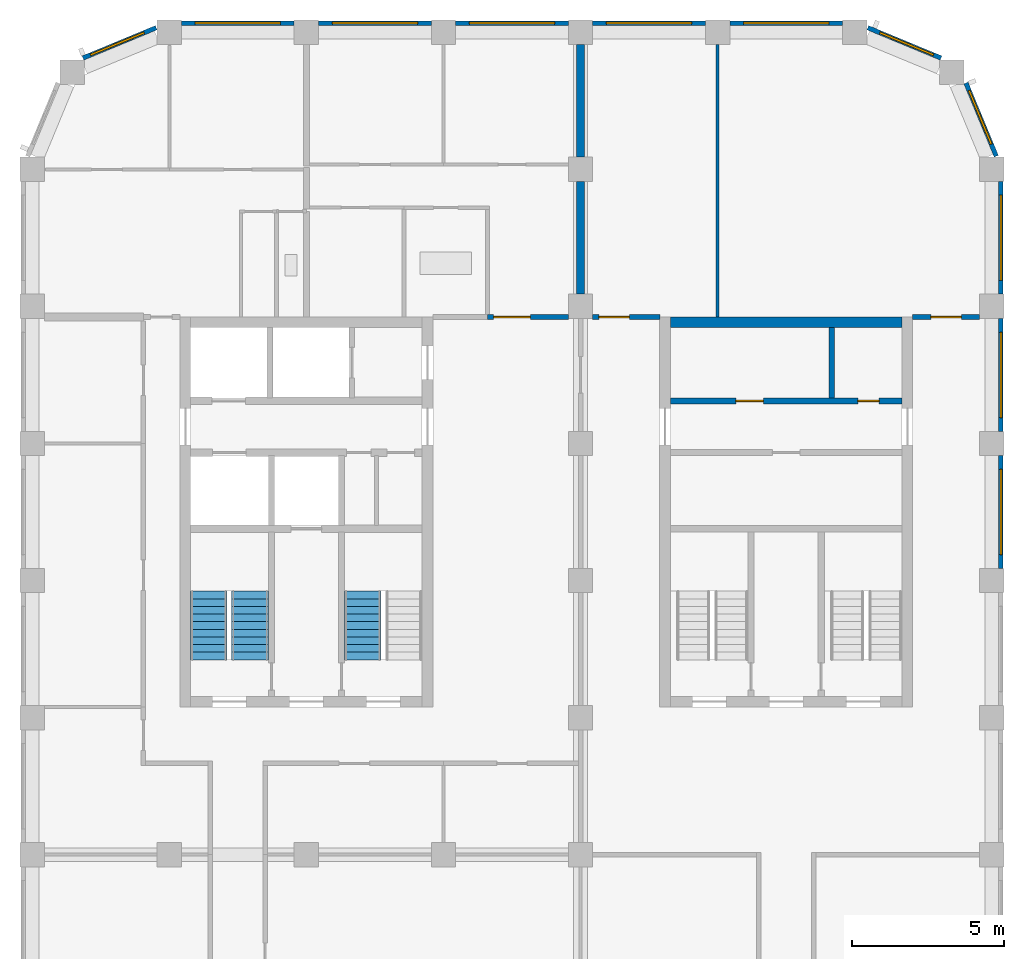
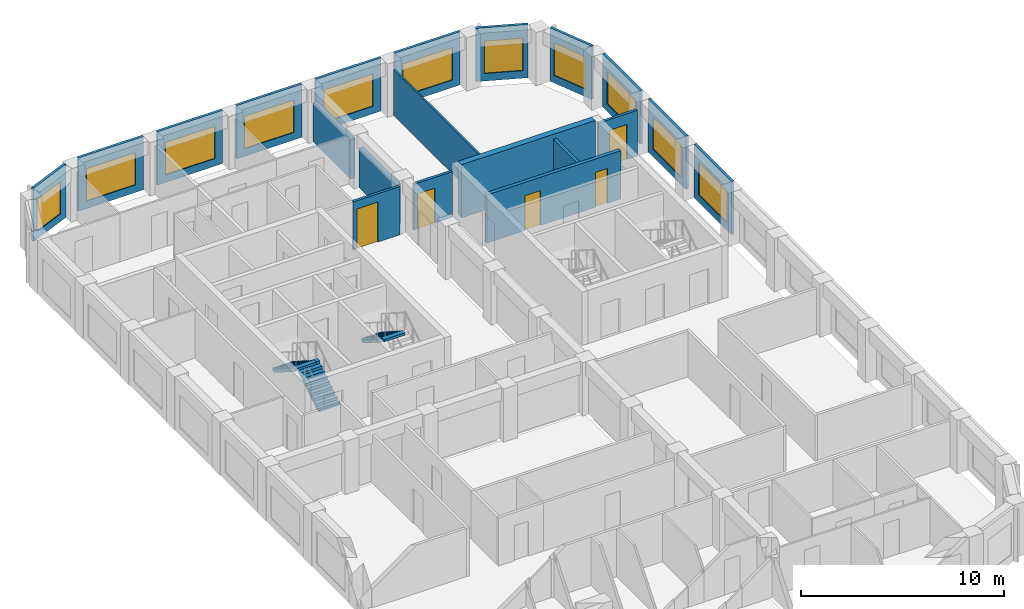
# One storey, part 7 of 10: 20 walls, 11 windows, 5 doors, 3 stair flights, 16 openings, 2 elements without a shape of their own.
"""IFC4 building model written with IfcOpenShell, lengths in metres."""

import ifcopenshell
import ifcopenshell.guid

model = None  # the IFC model being written
_history = None  # IfcOwnerHistory: only IFC2X3 demands one
_inside = {}  # id of a spatial element -> (the spatial element, [elements in it])
_under = {}  # id of a project, library or spatial element -> (it, [spatial elements below it])
_declared = {}  # id of a project -> (the project, [libraries it declares])
_typed = {}  # id of a type object -> (the type object, [elements of that type])
_made_of = {}  # id of a material, layer set ... -> (it, [elements and type objects made of it])


def new_model(schema):
    """Start an empty IFC model of exactly this schema.

    Asked for "IFC4X3", IfcOpenShell would pick the latest addendum, in which some entities
    have other attributes; the version numbers below select the first issue.
    IFC2X3 requires an IfcOwnerHistory on every rooted entity: one is made here for all.
    """
    global model, _history
    if schema == "IFC4X3":
        model = ifcopenshell.file(schema_version=(4, 3, 0, 0))
    else:
        model = ifcopenshell.file(schema=schema)
    _inside.clear()
    _under.clear()
    _declared.clear()
    _typed.clear()
    _made_of.clear()
    _history = None
    if model.schema == "IFC2X3":
        org = make("IfcOrganization", Name="unknown")
        user = make(
            "IfcPersonAndOrganization",
            ThePerson=make("IfcPerson", FamilyName="unknown"),
            TheOrganization=org,
        )
        app = make(
            "IfcApplication",
            ApplicationDeveloper=org,
            Version="unknown",
            ApplicationFullName="unknown",
            ApplicationIdentifier="unknown",
        )
        _history = make(
            "IfcOwnerHistory",
            OwningUser=user,
            OwningApplication=app,
            ChangeAction="ADDED",
            CreationDate=0,
        )
    return model


def make(cls, **values):
    """One entity of the class cls with the attributes given. An attribute that is None is left unset."""
    return model.create_entity(
        cls, **{name: value for name, value in values.items() if value is not None}
    )


def rooted(cls, **values):
    """An entity with a GlobalId (a new one), such as an element, a storey or a relation."""
    return make(cls, GlobalId=ifcopenshell.guid.new(), OwnerHistory=_history, **values)


def si_unit(unit_type, name, prefix=None):
    """IfcSIUnit, for example si_unit("LENGTHUNIT", "METRE", prefix="MILLI")."""
    return make("IfcSIUnit", UnitType=unit_type, Prefix=prefix, Name=name)


def assignment(units):
    """IfcUnitAssignment: the units of a project."""
    return None if units is None else make("IfcUnitAssignment", Units=units)


def point(xyz):
    """IfcCartesianPoint."""
    return None if xyz is None else make("IfcCartesianPoint", Coordinates=xyz)


def direction(xyz):
    """IfcDirection."""
    return None if xyz is None else make("IfcDirection", DirectionRatios=xyz)


def frame(location, z_axis=None, x_axis=None):
    """IfcAxis2Placement3D, a coordinate frame: its origin and axes. An axis left out is left unset."""
    return make(
        "IfcAxis2Placement3D",
        Location=point(location),
        Axis=direction(z_axis),
        RefDirection=direction(x_axis),
    )


def frame_2d(location, x_axis=None):
    """IfcAxis2Placement2D, a coordinate frame in the plane: its origin and x axis."""
    return make(
        "IfcAxis2Placement2D", Location=point(location), RefDirection=direction(x_axis)
    )


def origin():
    """The frame at (0, 0, 0) with its axes left unset."""
    return frame((0.0, 0.0, 0.0))


def place(relative_to, where):
    """IfcLocalPlacement: puts the frame where relative to a parent placement (None: the world)."""
    return make(
        "IfcLocalPlacement", PlacementRelTo=relative_to, RelativePlacement=where
    )


def context(
    kind, dimensions, precision=None, world=None, true_north=None, identifier=None
):
    """IfcGeometricRepresentationContext, for example the 3D "Model" context."""
    return make(
        "IfcGeometricRepresentationContext",
        ContextIdentifier=identifier,
        ContextType=kind,
        CoordinateSpaceDimension=dimensions,
        Precision=precision,
        WorldCoordinateSystem=world,
        TrueNorth=true_north,
    )


def subcontext(parent, identifier, kind, view, scale=None):
    """IfcGeometricRepresentationSubContext, for example "Body" below "Model"."""
    return make(
        "IfcGeometricRepresentationSubContext",
        ContextIdentifier=identifier,
        ContextType=kind,
        ParentContext=parent,
        TargetScale=scale,
        TargetView=view,
    )


def project(units=None, contexts=None):
    """IfcProject with its units and contexts."""
    return rooted(
        "IfcProject",
        Name="project",
        RepresentationContexts=contexts,
        UnitsInContext=assignment(units),
    )


def spatial(cls, under=None, at=None, **own):
    """A site, building, storey or space (cls), placed at a placement, below another one or the project."""
    s = rooted(cls, ObjectPlacement=at, **own)
    if under is not None:
        _under.setdefault(under.id(), (under, []))[1].append(s)
    return s


def polyline(points):
    """IfcPolyline through the points."""
    return make("IfcPolyline", Points=[point(p) for p in points])


def profile(cls, at=None, kind="AREA", **sizes):
    """A parametric profile (cls). Its sizes go by their IFC names, for example OverallWidth=200.0."""
    return make(cls, ProfileType=kind, Position=at, **sizes)


def rectangle(**sizes):
    """IfcRectangleProfileDef."""
    return profile("IfcRectangleProfileDef", **sizes)


def outline(outer, holes=None, kind="AREA"):
    """IfcArbitraryClosedProfileDef: a profile drawn as a closed curve; with holes, ...WithVoids."""
    if holes is None:
        return make("IfcArbitraryClosedProfileDef", ProfileType=kind, OuterCurve=outer)
    return make(
        "IfcArbitraryProfileDefWithVoids",
        ProfileType=kind,
        OuterCurve=outer,
        InnerCurves=holes,
    )


def extrude(swept, where, along, depth):
    """IfcExtrudedAreaSolid: the profile swept, set in the frame where, extruded along a direction by depth."""
    return make(
        "IfcExtrudedAreaSolid",
        SweptArea=swept,
        Position=where,
        ExtrudedDirection=direction(along),
        Depth=depth,
    )


def shape(context_of_items, identifier, shape_type, items):
    """IfcShapeRepresentation: the items that make up one representation, for example the "Body"."""
    return make(
        "IfcShapeRepresentation",
        ContextOfItems=context_of_items,
        RepresentationIdentifier=identifier,
        RepresentationType=shape_type,
        Items=items,
    )


def material(Name=None, Category=None):
    """IfcMaterial."""
    return make("IfcMaterial", Name=Name, Category=Category)


def layer(
    of_material, thickness, ventilated=None, Name=None, Category=None, Priority=None
):
    """IfcMaterialLayer: one layer of a wall or slab, of a material (None: an air gap)."""
    return make(
        "IfcMaterialLayer",
        Material=of_material,
        LayerThickness=thickness,
        IsVentilated=ventilated,
        Name=Name,
        Category=Category,
        Priority=Priority,
    )


def layer_set(layers, Name=None):
    """IfcMaterialLayerSet."""
    return make("IfcMaterialLayerSet", MaterialLayers=layers, LayerSetName=Name)


def made_of(thing, what):
    """Note that an element or type object is made of a material, layer set ...; save() writes the relation."""
    if what is not None:
        _made_of.setdefault(what.id(), (what, []))[1].append(thing)
    return thing


def type_object(cls, material=None, **own):
    """A type object (cls), such as IfcWallType, which elements share."""
    return made_of(rooted(cls, **own), material)


def element(
    cls,
    number,
    at=None,
    inside=None,
    cuts=None,
    type_object=None,
    material=None,
    context=None,
    identifier="Body",
    shape_type=None,
    held_by="IfcProductDefinitionShape",
    body=None,
    shapes=None,
    **own,
):
    """One element of the class cls, such as IfcWall. Its Tag is "e" and its number.

    at: its placement. inside: the storey or other place that contains it. cuts: it is an
    opening in that element (IfcRelVoidsElement). A single representation is given by context,
    identifier, shape_type and body (its items); several are given by shapes. held_by: the class
    of the entity that holds the representations. save() writes the other relations.
    """
    e = rooted(cls, Tag="e%d" % number, ObjectPlacement=at, **own)
    if body is not None:
        shapes = [shape(context, identifier, shape_type, body)]
    if shapes is not None:
        e.Representation = make(held_by, Representations=shapes)
    if inside is not None:
        _inside.setdefault(inside.id(), (inside, []))[1].append(e)
    if cuts is not None:
        rooted(
            "IfcRelVoidsElement", RelatingBuildingElement=cuts, RelatedOpeningElement=e
        )
    if type_object is not None:
        _typed.setdefault(type_object.id(), (type_object, []))[1].append(e)
    return made_of(e, material)


def fill(opening, filler):
    """IfcRelFillsElement: the door or window that sits in an opening."""
    return rooted(
        "IfcRelFillsElement",
        RelatingOpeningElement=opening,
        RelatedBuildingElement=filler,
    )


def aggregate(whole, parts):
    """IfcRelAggregates: a whole, such as a stair, and the parts it consists of."""
    return rooted("IfcRelAggregates", RelatingObject=whole, RelatedObjects=parts)


def save(model, path):
    """Write the relations noted so far, then the file.

    IfcRelAggregates (storeys below a building ...), IfcRelContainedInSpatialStructure (elements
    in a storey), IfcRelDefinesByType, IfcRelAssociatesMaterial and IfcRelDeclares: one each for
    every whole, place, type object, material and project.
    """
    for whole, parts in _under.values():
        aggregate(whole, parts)
    for where, things in _inside.values():
        rooted(
            "IfcRelContainedInSpatialStructure",
            RelatedElements=things,
            RelatingStructure=where,
        )
    for kind, things in _typed.values():
        rooted("IfcRelDefinesByType", RelatedObjects=things, RelatingType=kind)
    for what, things in _made_of.values():
        rooted("IfcRelAssociatesMaterial", RelatedObjects=things, RelatingMaterial=what)
    for by, libraries in _declared.values():
        rooted("IfcRelDeclares", RelatingContext=by, RelatedDefinitions=libraries)
    model.write(path)


model = new_model("IFC4")

# Units and contexts
model_context = context("Model", 3, precision=1e-05, world=origin(), true_north=direction((0.0, 1.0)))
body_context = subcontext(model_context, "Body", "Model", "MODEL_VIEW")
ifc_project = project(units=[si_unit("LENGTHUNIT", "METRE"), si_unit("AREAUNIT", "SQUARE_METRE"), si_unit("VOLUMEUNIT", "CUBIC_METRE"), si_unit("PLANEANGLEUNIT", "RADIAN"), si_unit("MASSUNIT", "GRAM", prefix="KILO")], contexts=[model_context])

# Site, building, storey
site_placement = place(None, origin())
site = spatial("IfcSite", under=ifc_project, at=site_placement, CompositionType="ELEMENT")
building_placement = place(site_placement, origin())
building = spatial("IfcBuilding", under=site, at=building_placement, Name="Girih Gate Residences", CompositionType="ELEMENT")
storey_placement = place(building_placement, frame((0.0, 0.0, 192.300048828125)))
storey = spatial("IfcBuildingStorey", under=building, at=storey_placement, Name="L53", CompositionType="ELEMENT", Elevation=192.300048828125)

# Walls
ifc_material_1 = material(Name="Gypsum board on steel studs", Category="steel")
ifc_layer_1 = layer(ifc_material_1, 0.25)
ifc_layer_set_1 = layer_set([ifc_layer_1], Name="Acoustic separating wall 250 mm")
wall_type_1 = type_object("IfcWallType", Name="Acoustic separating wall 250 mm", PredefinedType="PARTITIONING", material=ifc_layer_set_1)
for number, where, z_axis, x_axis, name in (
    (1, (18.0, 45.39990234375, 0.0), (0.0, 0.0, 1.0), (0.0, 1.0, 0.0), "L53 partition"),
    (2, (18.0, 40.89990234375, 0.0), (0.0, 0.0, 1.0), (0.0, 1.0, 0.0), "L53 partition"),
):
    element("IfcWall", number, at=place(storey_placement, frame(where, z_axis=z_axis, x_axis=x_axis)), inside=storey, type_object=wall_type_1, Name=name, PredefinedType="PARTITIONING", context=body_context, shape_type="SweptSolid", body=[
        extrude(rectangle(XDim=3.7001953125, YDim=0.25, at=frame_2d((1.85009765625, 0.0))), origin(), (0.0, 0.0, 1.0), 2.3798828125),
    ])

# Wall, opening, door
ifc_layer_2 = layer(ifc_material_1, 0.14990234375)
ifc_layer_set_2 = layer_set([ifc_layer_2], Name="Compartment wall 150 mm")
wall_type_2 = type_object("IfcWallType", Name="Compartment wall 150 mm", PredefinedType="PARTITIONING", material=ifc_layer_set_2)
wall_1_placement = place(storey_placement, frame((14.949951171875, 40.14990234375, 0.0), z_axis=(0.0, 0.0, 1.0), x_axis=(1.0, 0.0, 0.0)))
wall_1 = element("IfcWall", 3, at=wall_1_placement, inside=storey, type_object=wall_type_2, Name="L53 partition", PredefinedType="PARTITIONING", context=body_context, shape_type="SweptSolid", body=[
    extrude(rectangle(XDim=2.650146484375, YDim=0.14990234375, at=frame_2d((1.3251953125, 0.0))), origin(), (0.0, 0.0, 1.0), 2.89990234375),
])
opening_1_placement = place(wall_1_placement, frame((0.199951171875, 0.0, 0.0)))
opening_1 = element("IfcOpeningElement", 4, at=opening_1_placement, cuts=wall_1, Name="Opening A53-020", PredefinedType="OPENING", context=body_context, shape_type="SweptSolid", body=[
    extrude(rectangle(XDim=1.199951171875, YDim=2.39990234375, at=frame_2d((0.60009765625, 1.199951171875))), frame((0.0, 0.0849609375, 0.0), z_axis=(0.0, -1.0, 0.0), x_axis=(1.0, 0.0, 0.0)), (0.0, 0.0, 1.0), 0.169921875),
])
ifc_material_2 = material(Name="Timber, fire-rated core", Category="wood")
door_type_1 = type_object("IfcDoorType", Name="Villa entrance door 1200x2400 FD30S", OperationType="NOTDEFINED", PredefinedType="DOOR", material=ifc_material_2)
door_1_placement = place(opening_1_placement, origin())
door_1 = element("IfcDoor", 5, at=door_1_placement, inside=storey, type_object=door_type_1, Name="Door A53-020", OperationType="SINGLE_SWING_LEFT", OverallHeight=2.39990234375, OverallWidth=1.199951171875, PredefinedType="DOOR", context=body_context, shape_type="SweptSolid", body=[
    extrude(rectangle(XDim=1.199951171875, YDim=2.39990234375, at=frame_2d((0.60009765625, 1.199951171875))), frame((0.0, 0.02490234375, 0.0), z_axis=(0.0, -1.0, 0.0), x_axis=(1.0, 0.0, 0.0)), (0.0, 0.0, 1.0), 0.050048828125),
])
fill(opening_1, door_1)

wall_2_placement = place(storey_placement, frame((18.39990234375, 40.14990234375, 0.0), z_axis=(0.0, 0.0, 1.0), x_axis=(1.0, 0.0, 0.0)))
wall_2 = element("IfcWall", 6, at=wall_2_placement, inside=storey, type_object=wall_type_2, Name="L53 partition", PredefinedType="PARTITIONING", context=body_context, shape_type="SweptSolid", body=[
    extrude(rectangle(XDim=2.2001953125, YDim=0.14990234375, at=frame_2d((1.10009765625, 0.0))), origin(), (0.0, 0.0, 1.0), 2.75),
])
opening_2_placement = place(wall_2_placement, frame((0.199951171875, 0.0, 0.0)))
opening_2 = element("IfcOpeningElement", 7, at=opening_2_placement, cuts=wall_2, Name="Opening A53-028", PredefinedType="OPENING", context=body_context, shape_type="SweptSolid", body=[
    extrude(rectangle(XDim=1.0, YDim=2.10009765625, at=frame_2d((0.5, 1.050048828125))), frame((0.0, 0.0849609375, 0.0), z_axis=(0.0, -1.0, 0.0), x_axis=(1.0, 0.0, 0.0)), (0.0, 0.0, 1.0), 0.169921875),
])
door_type_2 = type_object("IfcDoorType", Name="Amenity room door 1000x2100 FD30S", OperationType="NOTDEFINED", PredefinedType="DOOR", material=ifc_material_2)
door_2_placement = place(opening_2_placement, origin())
door_2 = element("IfcDoor", 8, at=door_2_placement, inside=storey, type_object=door_type_2, Name="Door A53-028", OperationType="SINGLE_SWING_LEFT", OverallHeight=2.10009765625, OverallWidth=1.0, PredefinedType="DOOR", context=body_context, shape_type="SweptSolid", body=[
    extrude(rectangle(XDim=1.0, YDim=2.10009765625, at=frame_2d((0.5, 1.050048828125))), frame((0.0, 0.02490234375, 0.0), z_axis=(0.0, -1.0, 0.0), x_axis=(1.0, 0.0, 0.0)), (0.0, 0.0, 1.0), 0.050048828125),
])
fill(opening_2, door_2)

wall_3_placement = place(storey_placement, frame((28.89990234375, 40.14990234375, 0.0), z_axis=(0.0, 0.0, 1.0), x_axis=(1.0, 0.0, 0.0)))
wall_3 = element("IfcWall", 9, at=wall_3_placement, inside=storey, type_object=wall_type_2, Name="L53 partition", PredefinedType="PARTITIONING", context=body_context, shape_type="SweptSolid", body=[
    extrude(rectangle(XDim=2.2001953125, YDim=0.14990234375, at=frame_2d((1.10009765625, 0.0))), origin(), (0.0, 0.0, 1.0), 2.75),
])
opening_3_placement = place(wall_3_placement, frame((0.60009765625, 0.0, 0.0)))
opening_3 = element("IfcOpeningElement", 10, at=opening_3_placement, cuts=wall_3, Name="Opening A53-029", PredefinedType="OPENING", context=body_context, shape_type="SweptSolid", body=[
    extrude(rectangle(XDim=1.0, YDim=2.10009765625, at=frame_2d((0.5, 1.050048828125))), frame((0.0, 0.0849609375, 0.0), z_axis=(0.0, -1.0, 0.0), x_axis=(1.0, 0.0, 0.0)), (0.0, 0.0, 1.0), 0.169921875),
])
door_3_placement = place(opening_3_placement, origin())
door_3 = element("IfcDoor", 11, at=door_3_placement, inside=storey, type_object=door_type_2, Name="Door A53-029", OperationType="SINGLE_SWING_RIGHT", OverallHeight=2.10009765625, OverallWidth=1.0, PredefinedType="DOOR", context=body_context, shape_type="SweptSolid", body=[
    extrude(rectangle(XDim=1.0, YDim=2.10009765625, at=frame_2d((0.5, 1.050048828125))), frame((0.0, 0.02490234375, 0.0), z_axis=(0.0, -1.0, 0.0), x_axis=(1.0, 0.0, 0.0)), (0.0, 0.0, 1.0), 0.050048828125),
])
fill(opening_3, door_3)

# Wall
ifc_layer_3 = layer(ifc_material_1, 0.10009765625)
ifc_layer_set_3 = layer_set([ifc_layer_3], Name="Partition 100 mm")
wall_type_3 = type_object("IfcWallType", Name="Partition 100 mm", PredefinedType="PARTITIONING", material=ifc_layer_set_3)
wall_4_placement = place(storey_placement, frame((22.5, 40.14990234375, 0.0), z_axis=(0.0, 0.0, 1.0), x_axis=(0.0, 1.0, 0.0)))
element("IfcWall", 12, at=wall_4_placement, inside=storey, type_object=wall_type_3, Name="L53 partition", PredefinedType="PARTITIONING", context=body_context, shape_type="SweptSolid", body=[
    extrude(rectangle(XDim=8.9501953125, YDim=0.10009765625, at=frame_2d((4.47509765625, 0.0))), origin(), (0.0, 0.0, 1.0), 2.75),
])

# Wall, opening, window
ifc_material_3 = material(Name="Precast concrete C50/60", Category="concrete")
ifc_layer_4 = layer(ifc_material_3, 0.050048828125, Name="Outer leaf")
ifc_material_4 = material(Name="Rigid PIR insulation")
ifc_layer_5 = layer(ifc_material_4, 0.06005859375, Name="Insulation")
ifc_material_5 = material(Name="Precast concrete C40/50", Category="concrete")
ifc_layer_6 = layer(ifc_material_5, 0.0400390625, Name="Inner leaf")
ifc_layer_set_4 = layer_set([ifc_layer_4, ifc_layer_5, ifc_layer_6], Name="Precast concrete C50/60 external wall 150")
wall_type_4 = type_object("IfcWallType", Name="Precast concrete C50/60 external wall 150", PredefinedType="SOLIDWALL", material=ifc_layer_set_4)
wall_5_placement = place(storey_placement, frame((31.800048828125, 35.60009765625, 0.0), z_axis=(0.0, 0.0, 1.0), x_axis=(0.0, -1.0, 0.0)))
wall_5 = element("IfcWall", 13, at=wall_5_placement, inside=storey, type_object=wall_type_4, Name="External wall E0315_0045.6", PredefinedType="SOLIDWALL", context=body_context, shape_type="SweptSolid", body=[
    extrude(rectangle(XDim=3.7001953125, YDim=0.14990234375, at=frame_2d((1.85009765625, 0.0))), origin(), (0.0, 0.0, 1.0), 3.199951171875),
])
opening_4_placement = place(wall_5_placement, frame((0.449951171875, 0.0, 0.449951171875)))
opening_4 = element("IfcOpeningElement", 14, at=opening_4_placement, cuts=wall_5, Name="Opening W-1B", PredefinedType="OPENING", context=body_context, shape_type="SweptSolid", body=[
    extrude(rectangle(XDim=2.800048828125, YDim=1.949951171875, at=frame_2d((1.39990234375, 0.97509765625))), frame((0.0, 0.0849609375, 0.0), z_axis=(0.0, -1.0, 0.0), x_axis=(1.0, 0.0, 0.0)), (0.0, 0.0, 1.0), 0.169921875),
])
ifc_material_6 = material(Name="Double glazing in aluminium frame", Category="aluminium")
window_type_1 = type_object("IfcWindowType", Name="Window W-1B 2800x1950", PartitioningType="SINGLE_PANEL", PredefinedType="WINDOW", material=ifc_material_6)
window_1_placement = place(opening_4_placement, origin())
window_1 = element("IfcWindow", 15, at=window_1_placement, inside=storey, type_object=window_type_1, Name="Window W-1B E0315_0045.6", OverallHeight=1.949951171875, OverallWidth=2.800048828125, PartitioningType="SINGLE_PANEL", PredefinedType="WINDOW", context=body_context, shape_type="SweptSolid", body=[
    extrude(rectangle(XDim=2.800048828125, YDim=1.949951171875, at=frame_2d((1.39990234375, 0.97509765625))), frame((0.0, 0.030029296875, 0.0), z_axis=(0.0, -1.0, 0.0), x_axis=(1.0, 0.0, 0.0)), (0.0, 0.0, 1.0), 0.06005859375),
])
fill(opening_4, window_1)

wall_6_placement = place(storey_placement, frame((31.800048828125, 40.10009765625, 0.0), z_axis=(0.0, 0.0, 1.0), x_axis=(0.0, -1.0, 0.0)))
wall_6 = element("IfcWall", 16, at=wall_6_placement, inside=storey, type_object=wall_type_4, Name="External wall E0315_0045.7", PredefinedType="SOLIDWALL", context=body_context, shape_type="SweptSolid", body=[
    extrude(rectangle(XDim=3.7001953125, YDim=0.14990234375, at=frame_2d((1.85009765625, 0.0))), origin(), (0.0, 0.0, 1.0), 3.199951171875),
])
opening_5_placement = place(wall_6_placement, frame((0.449951171875, 0.0, 0.449951171875)))
opening_5 = element("IfcOpeningElement", 17, at=opening_5_placement, cuts=wall_6, Name="Opening W-1B", PredefinedType="OPENING", context=body_context, shape_type="SweptSolid", body=[
    extrude(rectangle(XDim=2.800048828125, YDim=1.949951171875, at=frame_2d((1.39990234375, 0.97509765625))), frame((0.0, 0.0849609375, 0.0), z_axis=(0.0, -1.0, 0.0), x_axis=(1.0, 0.0, 0.0)), (0.0, 0.0, 1.0), 0.169921875),
])
window_2_placement = place(opening_5_placement, origin())
window_2 = element("IfcWindow", 18, at=window_2_placement, inside=storey, type_object=window_type_1, Name="Window W-1B E0315_0045.7", OverallHeight=1.949951171875, OverallWidth=2.800048828125, PartitioningType="SINGLE_PANEL", PredefinedType="WINDOW", context=body_context, shape_type="SweptSolid", body=[
    extrude(rectangle(XDim=2.800048828125, YDim=1.949951171875, at=frame_2d((1.39990234375, 0.97509765625))), frame((0.0, 0.030029296875, 0.0), z_axis=(0.0, -1.0, 0.0), x_axis=(1.0, 0.0, 0.0)), (0.0, 0.0, 1.0), 0.06005859375),
])
fill(opening_5, window_2)

wall_7_placement = place(storey_placement, frame((31.800048828125, 44.60009765625, 0.0), z_axis=(0.0, 0.0, 1.0), x_axis=(0.0, -1.0, 0.0)))
wall_7 = element("IfcWall", 19, at=wall_7_placement, inside=storey, type_object=wall_type_4, Name="External wall E0315_0045.8", PredefinedType="SOLIDWALL", context=body_context, shape_type="SweptSolid", body=[
    extrude(rectangle(XDim=3.7001953125, YDim=0.14990234375, at=frame_2d((1.85009765625, 0.0))), origin(), (0.0, 0.0, 1.0), 3.199951171875),
])
opening_6_placement = place(wall_7_placement, frame((0.449951171875, 0.0, 0.449951171875)))
opening_6 = element("IfcOpeningElement", 20, at=opening_6_placement, cuts=wall_7, Name="Opening W-1B", PredefinedType="OPENING", context=body_context, shape_type="SweptSolid", body=[
    extrude(rectangle(XDim=2.800048828125, YDim=1.949951171875, at=frame_2d((1.39990234375, 0.97509765625))), frame((0.0, 0.0849609375, 0.0), z_axis=(0.0, -1.0, 0.0), x_axis=(1.0, 0.0, 0.0)), (0.0, 0.0, 1.0), 0.169921875),
])
window_3_placement = place(opening_6_placement, origin())
window_3 = element("IfcWindow", 21, at=window_3_placement, inside=storey, type_object=window_type_1, Name="Window W-1B E0315_0045.8", OverallHeight=1.949951171875, OverallWidth=2.800048828125, PartitioningType="SINGLE_PANEL", PredefinedType="WINDOW", context=body_context, shape_type="SweptSolid", body=[
    extrude(rectangle(XDim=2.800048828125, YDim=1.949951171875, at=frame_2d((1.39990234375, 0.97509765625))), frame((0.0, 0.030029296875, 0.0), z_axis=(0.0, -1.0, 0.0), x_axis=(1.0, 0.0, 0.0)), (0.0, 0.0, 1.0), 0.06005859375),
])
fill(opening_6, window_3)

wall_8_placement = place(storey_placement, frame((30.6513671875, 47.8330078125, 0.0), z_axis=(0.0, 0.0, 1.0), x_axis=(0.382669406082, -0.923885342263, 0.0)))
wall_8 = element("IfcWall", 22, at=wall_8_placement, inside=storey, type_object=wall_type_4, Name="External wall NE0315_0450.0", PredefinedType="SOLIDWALL", context=body_context, shape_type="SweptSolid", body=[
    extrude(rectangle(XDim=2.602294921875, YDim=0.14990234375, at=frame_2d((1.30126953125, 0.0))), origin(), (0.0, 0.0, 1.0), 3.199951171875),
])
opening_7_placement = place(wall_8_placement, frame((0.27001953125, 0.0, 0.449951171875)))
opening_7 = element("IfcOpeningElement", 23, at=opening_7_placement, cuts=wall_8, Name="Opening W-2G", PredefinedType="OPENING", context=body_context, shape_type="SweptSolid", body=[
    extrude(rectangle(XDim=1.89990234375, YDim=1.949951171875, at=frame_2d((0.949951171875, 0.97509765625))), frame((0.0, 0.0849609375, 0.0), z_axis=(0.0, -1.0, 0.0), x_axis=(1.0, 0.0, 0.0)), (0.0, 0.0, 1.0), 0.169921875),
])
window_type_2 = type_object("IfcWindowType", Name="Window W-2G 1900x1950", PartitioningType="SINGLE_PANEL", PredefinedType="WINDOW", material=ifc_material_6)
window_4_placement = place(opening_7_placement, origin())
window_4 = element("IfcWindow", 24, at=window_4_placement, inside=storey, type_object=window_type_2, Name="Window W-2G NE0315_0450.0", OverallHeight=1.949951171875, OverallWidth=1.89990234375, PartitioningType="SINGLE_PANEL", PredefinedType="WINDOW", context=body_context, shape_type="SweptSolid", body=[
    extrude(rectangle(XDim=1.89990234375, YDim=1.949951171875, at=frame_2d((0.949951171875, 0.97509765625))), frame((0.0, 0.030029296875, 0.0), z_axis=(0.0, -1.0, 0.0), x_axis=(1.0, 0.0, 0.0)), (0.0, 0.0, 1.0), 0.06005859375),
])
fill(opening_7, window_4)

wall_9_placement = place(storey_placement, frame((27.4287109375, 49.647216796875, 0.0), z_axis=(0.0, 0.0, 1.0), x_axis=(0.923885342263, -0.382669406082, 0.0)))
wall_9 = element("IfcWall", 25, at=wall_9_placement, inside=storey, type_object=wall_type_4, Name="External wall NE0302_0482.0", PredefinedType="SOLIDWALL", context=body_context, shape_type="SweptSolid", body=[
    extrude(rectangle(XDim=2.602294921875, YDim=0.14990234375, at=frame_2d((1.30126953125, 0.0))), origin(), (0.0, 0.0, 1.0), 3.199951171875),
])
opening_8_placement = place(wall_9_placement, frame((0.432373046875, 0.0, 0.449951171875)))
opening_8 = element("IfcOpeningElement", 26, at=opening_8_placement, cuts=wall_9, Name="Opening W-2G", PredefinedType="OPENING", context=body_context, shape_type="SweptSolid", body=[
    extrude(rectangle(XDim=1.89990234375, YDim=1.949951171875, at=frame_2d((0.949951171875, 0.97509765625))), frame((0.0, 0.0849609375, 0.0), z_axis=(0.0, -1.0, 0.0), x_axis=(1.0, 0.0, 0.0)), (0.0, 0.0, 1.0), 0.169921875),
])
window_5_placement = place(opening_8_placement, origin())
window_5 = element("IfcWindow", 27, at=window_5_placement, inside=storey, type_object=window_type_2, Name="Window W-2G NE0302_0482.0", OverallHeight=1.949951171875, OverallWidth=1.89990234375, PartitioningType="SINGLE_PANEL", PredefinedType="WINDOW", context=body_context, shape_type="SweptSolid", body=[
    extrude(rectangle(XDim=1.89990234375, YDim=1.949951171875, at=frame_2d((0.949951171875, 0.97509765625))), frame((0.0, 0.030029296875, 0.0), z_axis=(0.0, -1.0, 0.0), x_axis=(1.0, 0.0, 0.0)), (0.0, 0.0, 1.0), 0.06005859375),
])
fill(opening_8, window_5)

wall_10_placement = place(storey_placement, frame((22.89990234375, 49.800048828125, 0.0), z_axis=(0.0, 0.0, 1.0), x_axis=(1.0, 0.0, 0.0)))
wall_10 = element("IfcWall", 28, at=wall_10_placement, inside=storey, type_object=wall_type_4, Name="External wall N0270_0495.0", PredefinedType="SOLIDWALL", context=body_context, shape_type="SweptSolid", body=[
    extrude(rectangle(XDim=3.7001953125, YDim=0.14990234375, at=frame_2d((1.85009765625, 0.0))), origin(), (0.0, 0.0, 1.0), 3.199951171875),
])
opening_9_placement = place(wall_10_placement, frame((0.449951171875, 0.0, 0.449951171875)))
opening_9 = element("IfcOpeningElement", 29, at=opening_9_placement, cuts=wall_10, Name="Opening W-1B", PredefinedType="OPENING", context=body_context, shape_type="SweptSolid", body=[
    extrude(rectangle(XDim=2.800048828125, YDim=1.949951171875, at=frame_2d((1.39990234375, 0.97509765625))), frame((0.0, 0.0849609375, 0.0), z_axis=(0.0, -1.0, 0.0), x_axis=(1.0, 0.0, 0.0)), (0.0, 0.0, 1.0), 0.169921875),
])
window_6_placement = place(opening_9_placement, origin())
window_6 = element("IfcWindow", 30, at=window_6_placement, inside=storey, type_object=window_type_1, Name="Window W-1B N0270_0495.0", OverallHeight=1.949951171875, OverallWidth=2.800048828125, PartitioningType="SINGLE_PANEL", PredefinedType="WINDOW", context=body_context, shape_type="SweptSolid", body=[
    extrude(rectangle(XDim=2.800048828125, YDim=1.949951171875, at=frame_2d((1.39990234375, 0.97509765625))), frame((0.0, 0.030029296875, 0.0), z_axis=(0.0, -1.0, 0.0), x_axis=(1.0, 0.0, 0.0)), (0.0, 0.0, 1.0), 0.06005859375),
])
fill(opening_9, window_6)

wall_11_placement = place(storey_placement, frame((18.39990234375, 49.800048828125, 0.0), z_axis=(0.0, 0.0, 1.0), x_axis=(1.0, 0.0, 0.0)))
wall_11 = element("IfcWall", 31, at=wall_11_placement, inside=storey, type_object=wall_type_4, Name="External wall N0270_0495.1", PredefinedType="SOLIDWALL", context=body_context, shape_type="SweptSolid", body=[
    extrude(rectangle(XDim=3.7001953125, YDim=0.14990234375, at=frame_2d((1.85009765625, 0.0))), origin(), (0.0, 0.0, 1.0), 3.199951171875),
])
opening_10_placement = place(wall_11_placement, frame((0.449951171875, 0.0, 0.449951171875)))
opening_10 = element("IfcOpeningElement", 32, at=opening_10_placement, cuts=wall_11, Name="Opening W-1B", PredefinedType="OPENING", context=body_context, shape_type="SweptSolid", body=[
    extrude(rectangle(XDim=2.800048828125, YDim=1.949951171875, at=frame_2d((1.39990234375, 0.97509765625))), frame((0.0, 0.0849609375, 0.0), z_axis=(0.0, -1.0, 0.0), x_axis=(1.0, 0.0, 0.0)), (0.0, 0.0, 1.0), 0.169921875),
])
window_7_placement = place(opening_10_placement, origin())
window_7 = element("IfcWindow", 33, at=window_7_placement, inside=storey, type_object=window_type_1, Name="Window W-1B N0270_0495.1", OverallHeight=1.949951171875, OverallWidth=2.800048828125, PartitioningType="SINGLE_PANEL", PredefinedType="WINDOW", context=body_context, shape_type="SweptSolid", body=[
    extrude(rectangle(XDim=2.800048828125, YDim=1.949951171875, at=frame_2d((1.39990234375, 0.97509765625))), frame((0.0, 0.030029296875, 0.0), z_axis=(0.0, -1.0, 0.0), x_axis=(1.0, 0.0, 0.0)), (0.0, 0.0, 1.0), 0.06005859375),
])
fill(opening_10, window_7)

wall_12_placement = place(storey_placement, frame((13.89990234375, 49.800048828125, 0.0), z_axis=(0.0, 0.0, 1.0), x_axis=(1.0, 0.0, 0.0)))
wall_12 = element("IfcWall", 34, at=wall_12_placement, inside=storey, type_object=wall_type_4, Name="External wall N0270_0495.2", PredefinedType="SOLIDWALL", context=body_context, shape_type="SweptSolid", body=[
    extrude(rectangle(XDim=3.7001953125, YDim=0.14990234375, at=frame_2d((1.85009765625, 0.0))), origin(), (0.0, 0.0, 1.0), 3.199951171875),
])
opening_11_placement = place(wall_12_placement, frame((0.449951171875, 0.0, 0.449951171875)))
opening_11 = element("IfcOpeningElement", 35, at=opening_11_placement, cuts=wall_12, Name="Opening W-1B", PredefinedType="OPENING", context=body_context, shape_type="SweptSolid", body=[
    extrude(rectangle(XDim=2.800048828125, YDim=1.949951171875, at=frame_2d((1.39990234375, 0.97509765625))), frame((0.0, 0.0849609375, 0.0), z_axis=(0.0, -1.0, 0.0), x_axis=(1.0, 0.0, 0.0)), (0.0, 0.0, 1.0), 0.169921875),
])
window_8_placement = place(opening_11_placement, origin())
window_8 = element("IfcWindow", 36, at=window_8_placement, inside=storey, type_object=window_type_1, Name="Window W-1B N0270_0495.2", OverallHeight=1.949951171875, OverallWidth=2.800048828125, PartitioningType="SINGLE_PANEL", PredefinedType="WINDOW", context=body_context, shape_type="SweptSolid", body=[
    extrude(rectangle(XDim=2.800048828125, YDim=1.949951171875, at=frame_2d((1.39990234375, 0.97509765625))), frame((0.0, 0.030029296875, 0.0), z_axis=(0.0, -1.0, 0.0), x_axis=(1.0, 0.0, 0.0)), (0.0, 0.0, 1.0), 0.06005859375),
])
fill(opening_11, window_8)

wall_13_placement = place(storey_placement, frame((9.39990234375, 49.800048828125, 0.0), z_axis=(0.0, 0.0, 1.0), x_axis=(1.0, 0.0, 0.0)))
wall_13 = element("IfcWall", 37, at=wall_13_placement, inside=storey, type_object=wall_type_4, Name="External wall N0270_0495.3", PredefinedType="SOLIDWALL", context=body_context, shape_type="SweptSolid", body=[
    extrude(rectangle(XDim=3.7001953125, YDim=0.14990234375, at=frame_2d((1.85009765625, 0.0))), origin(), (0.0, 0.0, 1.0), 3.199951171875),
])
opening_12_placement = place(wall_13_placement, frame((0.449951171875, 0.0, 0.449951171875)))
opening_12 = element("IfcOpeningElement", 38, at=opening_12_placement, cuts=wall_13, Name="Opening W-1B", PredefinedType="OPENING", context=body_context, shape_type="SweptSolid", body=[
    extrude(rectangle(XDim=2.800048828125, YDim=1.949951171875, at=frame_2d((1.39990234375, 0.97509765625))), frame((0.0, 0.0849609375, 0.0), z_axis=(0.0, -1.0, 0.0), x_axis=(1.0, 0.0, 0.0)), (0.0, 0.0, 1.0), 0.169921875),
])
window_9_placement = place(opening_12_placement, origin())
window_9 = element("IfcWindow", 39, at=window_9_placement, inside=storey, type_object=window_type_1, Name="Window W-1B N0270_0495.3", OverallHeight=1.949951171875, OverallWidth=2.800048828125, PartitioningType="SINGLE_PANEL", PredefinedType="WINDOW", context=body_context, shape_type="SweptSolid", body=[
    extrude(rectangle(XDim=2.800048828125, YDim=1.949951171875, at=frame_2d((1.39990234375, 0.97509765625))), frame((0.0, 0.030029296875, 0.0), z_axis=(0.0, -1.0, 0.0), x_axis=(1.0, 0.0, 0.0)), (0.0, 0.0, 1.0), 0.06005859375),
])
fill(opening_12, window_9)

wall_14_placement = place(storey_placement, frame((4.89990234375, 49.800048828125, 0.0), z_axis=(0.0, 0.0, 1.0), x_axis=(1.0, 0.0, 0.0)))
wall_14 = element("IfcWall", 40, at=wall_14_placement, inside=storey, type_object=wall_type_4, Name="External wall N0270_0495.4", PredefinedType="SOLIDWALL", context=body_context, shape_type="SweptSolid", body=[
    extrude(rectangle(XDim=3.7001953125, YDim=0.14990234375, at=frame_2d((1.85009765625, 0.0))), origin(), (0.0, 0.0, 1.0), 3.199951171875),
])
opening_13_placement = place(wall_14_placement, frame((0.449951171875, 0.0, 0.449951171875)))
opening_13 = element("IfcOpeningElement", 41, at=opening_13_placement, cuts=wall_14, Name="Opening W-1B", PredefinedType="OPENING", context=body_context, shape_type="SweptSolid", body=[
    extrude(rectangle(XDim=2.800048828125, YDim=1.949951171875, at=frame_2d((1.39990234375, 0.97509765625))), frame((0.0, 0.0849609375, 0.0), z_axis=(0.0, -1.0, 0.0), x_axis=(1.0, 0.0, 0.0)), (0.0, 0.0, 1.0), 0.169921875),
])
window_10_placement = place(opening_13_placement, origin())
window_10 = element("IfcWindow", 42, at=window_10_placement, inside=storey, type_object=window_type_1, Name="Window W-1B N0270_0495.4", OverallHeight=1.949951171875, OverallWidth=2.800048828125, PartitioningType="SINGLE_PANEL", PredefinedType="WINDOW", context=body_context, shape_type="SweptSolid", body=[
    extrude(rectangle(XDim=2.800048828125, YDim=1.949951171875, at=frame_2d((1.39990234375, 0.97509765625))), frame((0.0, 0.030029296875, 0.0), z_axis=(0.0, -1.0, 0.0), x_axis=(1.0, 0.0, 0.0)), (0.0, 0.0, 1.0), 0.06005859375),
])
fill(opening_13, window_10)

wall_15_placement = place(storey_placement, frame((1.6669921875, 48.6513671875, 0.0), z_axis=(0.0, 0.0, 1.0), x_axis=(0.923885342263, 0.382669406082, 0.0)))
wall_15 = element("IfcWall", 43, at=wall_15_placement, inside=storey, type_object=wall_type_4, Name="External wall NW0045_0495.0", PredefinedType="SOLIDWALL", context=body_context, shape_type="SweptSolid", body=[
    extrude(rectangle(XDim=2.602294921875, YDim=0.14990234375, at=frame_2d((1.30126953125, 0.0))), origin(), (0.0, 0.0, 1.0), 3.199951171875),
])
opening_14_placement = place(wall_15_placement, frame((0.27001953125, 0.0, 0.449951171875)))
opening_14 = element("IfcOpeningElement", 44, at=opening_14_placement, cuts=wall_15, Name="Opening W-2G", PredefinedType="OPENING", context=body_context, shape_type="SweptSolid", body=[
    extrude(rectangle(XDim=1.89990234375, YDim=1.949951171875, at=frame_2d((0.949951171875, 0.97509765625))), frame((0.0, 0.0849609375, 0.0), z_axis=(0.0, -1.0, 0.0), x_axis=(1.0, 0.0, 0.0)), (0.0, 0.0, 1.0), 0.169921875),
])
window_11_placement = place(opening_14_placement, origin())
window_11 = element("IfcWindow", 45, at=window_11_placement, inside=storey, type_object=window_type_2, Name="Window W-2G NW0045_0495.0", OverallHeight=1.949951171875, OverallWidth=1.89990234375, PartitioningType="SINGLE_PANEL", PredefinedType="WINDOW", context=body_context, shape_type="SweptSolid", body=[
    extrude(rectangle(XDim=1.89990234375, YDim=1.949951171875, at=frame_2d((0.949951171875, 0.97509765625))), frame((0.0, 0.030029296875, 0.0), z_axis=(0.0, -1.0, 0.0), x_axis=(1.0, 0.0, 0.0)), (0.0, 0.0, 1.0), 0.06005859375),
])
fill(opening_14, window_11)

# Wall
ifc_material_7 = material(Name="Concrete C40/50", Category="concrete")
ifc_layer_7 = layer(ifc_material_7, 0.175048828125)
ifc_layer_set_5 = layer_set([ifc_layer_7], Name="Riser shaft wall 175")
wall_type_5 = type_object("IfcWallType", Name="Riser shaft wall 175", PredefinedType="SOLIDWALL", material=ifc_layer_set_5)
wall_16_placement = place(storey_placement, frame((26.25, 37.5, 0.0), z_axis=(0.0, 0.0, 1.0), x_axis=(0.0, 1.0, 0.0)))
element("IfcWall", 46, at=wall_16_placement, inside=storey, type_object=wall_type_5, Name="L53 C core wall V2c", PredefinedType="SOLIDWALL", context=body_context, shape_type="SweptSolid", body=[
    extrude(rectangle(XDim=2.300048828125, YDim=0.175048828125, at=frame_2d((1.14990234375, 0.0))), origin(), (0.0, 0.0, 1.0), 2.89990234375),
])

# Wall, openings, doors
ifc_layer_8 = layer(ifc_material_7, 0.199951171875)
ifc_layer_set_6 = layer_set([ifc_layer_8], Name="Shaft wall 200")
wall_type_6 = type_object("IfcWallType", Name="Shaft wall 200", PredefinedType="SOLIDWALL", material=ifc_layer_set_6)
wall_17_placement = place(storey_placement, frame((20.949951171875, 37.39990234375, 0.0), z_axis=(0.0, 0.0, 1.0), x_axis=(1.0, 0.0, 0.0)))
wall_17 = element("IfcWall", 47, at=wall_17_placement, inside=storey, type_object=wall_type_6, Name="L53 C core wall H3", PredefinedType="SOLIDWALL", context=body_context, shape_type="SweptSolid", body=[
    extrude(rectangle(XDim=7.60009765625, YDim=0.199951171875, at=frame_2d((3.800048828125, 0.0))), origin(), (0.0, 0.0, 1.0), 2.89990234375),
])
opening_15_placement = place(wall_17_placement, frame((6.14990234375, 0.0, 0.0)))
opening_15 = element("IfcOpeningElement", 48, at=opening_15_placement, cuts=wall_17, Name="Opening D-L53-C-003", PredefinedType="OPENING", context=body_context, shape_type="SweptSolid", body=[
    extrude(rectangle(XDim=0.699951171875, YDim=2.10009765625, at=frame_2d((0.35009765625, 1.050048828125))), frame((0.0, 0.10986328125, 0.0), z_axis=(0.0, -1.0, 0.0), x_axis=(1.0, 0.0, 0.0)), (0.0, 0.0, 1.0), 0.219970703125),
])
opening_16_placement = place(wall_17_placement, frame((2.14990234375, 0.0, 0.0)))
opening_16 = element("IfcOpeningElement", 49, at=opening_16_placement, cuts=wall_17, Name="Opening D-L53-C-005", PredefinedType="OPENING", context=body_context, shape_type="SweptSolid", body=[
    extrude(rectangle(XDim=0.89990234375, YDim=2.10009765625, at=frame_2d((0.449951171875, 1.050048828125))), frame((0.0, 0.10986328125, 0.0), z_axis=(0.0, -1.0, 0.0), x_axis=(1.0, 0.0, 0.0)), (0.0, 0.0, 1.0), 0.219970703125),
])
ifc_material_8 = material(Name="Painted steel, fire-resisting", Category="steel")
door_type_3 = type_object("IfcDoorType", Name="Fire door 900x2100", OperationType="SINGLE_SWING_LEFT", PredefinedType="DOOR", material=ifc_material_8)
door_4_placement = place(opening_16_placement, origin())
door_4 = element("IfcDoor", 50, at=door_4_placement, inside=storey, type_object=door_type_3, Name="L53 C it room door", OperationType="SINGLE_SWING_LEFT", OverallHeight=2.10009765625, OverallWidth=0.89990234375, PredefinedType="DOOR", context=body_context, shape_type="SweptSolid", body=[
    extrude(rectangle(XDim=0.89990234375, YDim=2.10009765625, at=frame_2d((0.449951171875, 1.050048828125))), frame((0.0, 0.02490234375, 0.0), z_axis=(0.0, -1.0, 0.0), x_axis=(1.0, 0.0, 0.0)), (0.0, 0.0, 1.0), 0.050048828125),
])
fill(opening_16, door_4)
door_type_4 = type_object("IfcDoorType", Name="Riser access door 700x2100", OperationType="SINGLE_SWING_LEFT", PredefinedType="DOOR", material=ifc_material_8)
door_5_placement = place(opening_15_placement, origin())
door_5 = element("IfcDoor", 51, at=door_5_placement, inside=storey, type_object=door_type_4, Name="L53 C riser room door", OperationType="SINGLE_SWING_LEFT", OverallHeight=2.10009765625, OverallWidth=0.699951171875, PredefinedType="DOOR", context=body_context, shape_type="SweptSolid", body=[
    extrude(rectangle(XDim=0.699951171875, YDim=2.10009765625, at=frame_2d((0.35009765625, 1.050048828125))), frame((0.0, 0.02490234375, 0.0), z_axis=(0.0, -1.0, 0.0), x_axis=(1.0, 0.0, 0.0)), (0.0, 0.0, 1.0), 0.050048828125),
])
fill(opening_15, door_5)

# Wall
ifc_layer_9 = layer(ifc_material_7, 0.35009765625)
ifc_layer_set_7 = layer_set([ifc_layer_9], Name="Stair core wall RC 350 Concrete C40/50")
wall_type_7 = type_object("IfcWallType", Name="Stair core wall RC 350 Concrete C40/50", PredefinedType="SOLIDWALL", material=ifc_layer_set_7)
wall_18_placement = place(storey_placement, frame((20.949951171875, 39.97509765625, 0.0), z_axis=(0.0, 0.0, 1.0), x_axis=(1.0, 0.0, 0.0)))
element("IfcWall", 52, at=wall_18_placement, inside=storey, type_object=wall_type_7, Name="Stair core wall C-N L53", PredefinedType="SOLIDWALL", context=body_context, shape_type="SweptSolid", body=[
    extrude(rectangle(XDim=7.60009765625, YDim=0.35009765625, at=frame_2d((3.800048828125, 0.0))), origin(), (0.0, 0.0, 1.0), 3.199951171875),
])

# Stair, stair flights
stair_type = type_object("IfcStairType", Name="Exit stair", PredefinedType="HALF_TURN_STAIR", material=ifc_material_7)
stair_1_placement = place(storey_placement, origin())
stair_1 = element("IfcStair", 53, at=stair_1_placement, inside=storey, type_object=stair_type, Name="L53 Exit Stair ST-W1", PredefinedType="HALF_TURN_STAIR")
stair_flight_type = type_object("IfcStairFlightType", Name="Stair flight 1200", PredefinedType="STRAIGHT", material=ifc_material_7)
stair_flight_1_placement = place(storey_placement, frame((7.14990234375, 28.89990234375, 0.0), z_axis=(0.0, 0.0, 1.0), x_axis=(0.0, 1.0, 0.0)))
stair_flight_1 = element("IfcStairFlight", 54, at=stair_flight_1_placement, type_object=stair_flight_type, Name="ST-W1 flight 1", NumberOfRisers=10, NumberOfTreads=9, PredefinedType="STRAIGHT", RiserHeight=0.16, TreadLength=0.25, context=body_context, shape_type="SweptSolid", body=[
    extrude(outline(polyline([(0.0, 0.0), (0.0, 0.159912109375), (0.25, 0.159912109375), (0.25, 0.320068359375), (0.5, 0.320068359375), (0.5, 0.47998046875), (0.75, 0.47998046875), (0.75, 0.639892578125), (1.0, 0.639892578125), (1.0, 0.800048828125), (1.25, 0.800048828125), (1.25, 0.9599609375), (1.5, 0.9599609375), (1.5, 1.1201171875), (1.75, 1.1201171875), (1.75, 1.280029296875), (2.0, 1.280029296875), (2.0, 1.43994140625), (2.25, 1.43994140625), (2.25, 1.60009765625), (2.25, 1.29736328125), (0.222900390625, 0.0), (0.0, 0.0)])), frame((0.0, 0.60009765625, 0.0), z_axis=(0.0, -1.0, 0.0), x_axis=(1.0, 0.0, 0.0)), (0.0, 0.0, 1.0), 1.199951171875),
])
stair_flight_2_placement = place(storey_placement, frame((5.800048828125, 31.14990234375, 1.599853515625), z_axis=(0.0, 0.0, 1.0), x_axis=(0.0, -1.0, 0.0)))
stair_flight_2 = element("IfcStairFlight", 55, at=stair_flight_2_placement, type_object=stair_flight_type, Name="ST-W1 flight 2", NumberOfRisers=10, NumberOfTreads=9, PredefinedType="STRAIGHT", RiserHeight=0.16, TreadLength=0.25, context=body_context, shape_type="SweptSolid", body=[
    extrude(outline(polyline([(0.0, 0.0), (0.0, 0.159912109375), (0.25, 0.159912109375), (0.25, 0.320068359375), (0.5, 0.320068359375), (0.5, 0.47998046875), (0.75, 0.47998046875), (0.75, 0.639892578125), (1.0, 0.639892578125), (1.0, 0.800048828125), (1.25, 0.800048828125), (1.25, 0.9599609375), (1.5, 0.9599609375), (1.5, 1.1201171875), (1.75, 1.1201171875), (1.75, 1.280029296875), (2.0, 1.280029296875), (2.0, 1.43994140625), (2.25, 1.43994140625), (2.25, 1.60009765625), (2.25, 1.29736328125), (0.222900390625, 0.0), (0.0, 0.0)])), frame((0.0, 0.60009765625, 0.0), z_axis=(0.0, -1.0, 0.0), x_axis=(1.0, 0.0, 0.0)), (0.0, 0.0, 1.0), 1.199951171875),
])
aggregate(stair_1, [stair_flight_1, stair_flight_2])

# Stair, stair flight
stair_2_placement = place(storey_placement, origin())
stair_2 = element("IfcStair", 56, at=stair_2_placement, inside=storey, type_object=stair_type, Name="L53 Exit Stair ST-W2", PredefinedType="HALF_TURN_STAIR")
stair_flight_3_placement = place(storey_placement, frame((10.85009765625, 31.14990234375, 1.599853515625), z_axis=(0.0, 0.0, 1.0), x_axis=(0.0, -1.0, 0.0)))
stair_flight_3 = element("IfcStairFlight", 57, at=stair_flight_3_placement, type_object=stair_flight_type, Name="ST-W2 flight 2", NumberOfRisers=10, NumberOfTreads=9, PredefinedType="STRAIGHT", RiserHeight=0.16, TreadLength=0.25, context=body_context, shape_type="SweptSolid", body=[
    extrude(outline(polyline([(0.0, 0.0), (0.0, 0.159912109375), (0.25, 0.159912109375), (0.25, 0.320068359375), (0.5, 0.320068359375), (0.5, 0.47998046875), (0.75, 0.47998046875), (0.75, 0.639892578125), (1.0, 0.639892578125), (1.0, 0.800048828125), (1.25, 0.800048828125), (1.25, 0.9599609375), (1.5, 0.9599609375), (1.5, 1.1201171875), (1.75, 1.1201171875), (1.75, 1.280029296875), (2.0, 1.280029296875), (2.0, 1.43994140625), (2.25, 1.43994140625), (2.25, 1.60009765625), (2.25, 1.29736328125), (0.222900390625, 0.0), (0.0, 0.0)])), frame((0.0, 0.60009765625, 0.0), z_axis=(0.0, -1.0, 0.0), x_axis=(1.0, 0.0, 0.0)), (0.0, 0.0, 1.0), 1.199951171875),
])
aggregate(stair_2, [stair_flight_3])

save(model, "model.ifc")
